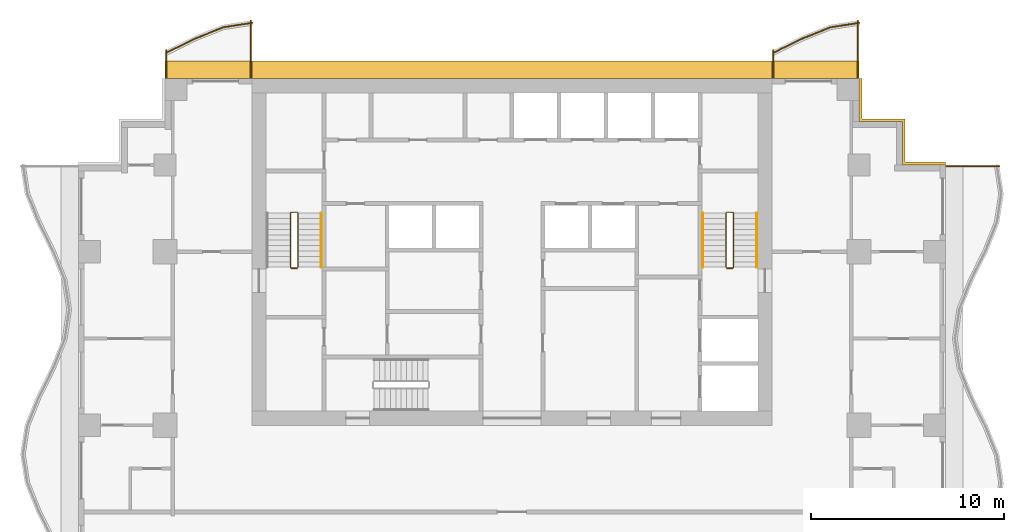
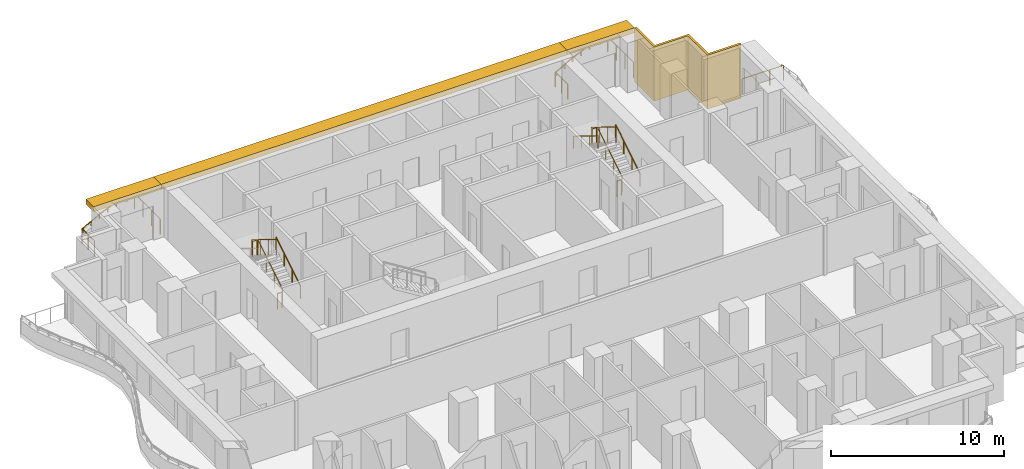
# One storey, part 10 of 10: 14 railings, 4 shading devices.
"""IFC4 building model written with IfcOpenShell, lengths in metres."""

import ifcopenshell
import ifcopenshell.guid

model = None  # the IFC model being written
_history = None  # IfcOwnerHistory: only IFC2X3 demands one
_inside = {}  # id of a spatial element -> (the spatial element, [elements in it])
_under = {}  # id of a project, library or spatial element -> (it, [spatial elements below it])
_declared = {}  # id of a project -> (the project, [libraries it declares])
_typed = {}  # id of a type object -> (the type object, [elements of that type])
_made_of = {}  # id of a material, layer set ... -> (it, [elements and type objects made of it])


def new_model(schema):
    """Start an empty IFC model of exactly this schema.

    Asked for "IFC4X3", IfcOpenShell would pick the latest addendum, in which some entities
    have other attributes; the version numbers below select the first issue.
    IFC2X3 requires an IfcOwnerHistory on every rooted entity: one is made here for all.
    """
    global model, _history
    if schema == "IFC4X3":
        model = ifcopenshell.file(schema_version=(4, 3, 0, 0))
    else:
        model = ifcopenshell.file(schema=schema)
    _inside.clear()
    _under.clear()
    _declared.clear()
    _typed.clear()
    _made_of.clear()
    _history = None
    if model.schema == "IFC2X3":
        org = make("IfcOrganization", Name="unknown")
        user = make(
            "IfcPersonAndOrganization",
            ThePerson=make("IfcPerson", FamilyName="unknown"),
            TheOrganization=org,
        )
        app = make(
            "IfcApplication",
            ApplicationDeveloper=org,
            Version="unknown",
            ApplicationFullName="unknown",
            ApplicationIdentifier="unknown",
        )
        _history = make(
            "IfcOwnerHistory",
            OwningUser=user,
            OwningApplication=app,
            ChangeAction="ADDED",
            CreationDate=0,
        )
    return model


def make(cls, **values):
    """One entity of the class cls with the attributes given. An attribute that is None is left unset."""
    return model.create_entity(
        cls, **{name: value for name, value in values.items() if value is not None}
    )


def rooted(cls, **values):
    """An entity with a GlobalId (a new one), such as an element, a storey or a relation."""
    return make(cls, GlobalId=ifcopenshell.guid.new(), OwnerHistory=_history, **values)


def si_unit(unit_type, name, prefix=None):
    """IfcSIUnit, for example si_unit("LENGTHUNIT", "METRE", prefix="MILLI")."""
    return make("IfcSIUnit", UnitType=unit_type, Prefix=prefix, Name=name)


def assignment(units):
    """IfcUnitAssignment: the units of a project."""
    return None if units is None else make("IfcUnitAssignment", Units=units)


def point(xyz):
    """IfcCartesianPoint."""
    return None if xyz is None else make("IfcCartesianPoint", Coordinates=xyz)


def direction(xyz):
    """IfcDirection."""
    return None if xyz is None else make("IfcDirection", DirectionRatios=xyz)


def frame(location, z_axis=None, x_axis=None):
    """IfcAxis2Placement3D, a coordinate frame: its origin and axes. An axis left out is left unset."""
    return make(
        "IfcAxis2Placement3D",
        Location=point(location),
        Axis=direction(z_axis),
        RefDirection=direction(x_axis),
    )


def frame_2d(location, x_axis=None):
    """IfcAxis2Placement2D, a coordinate frame in the plane: its origin and x axis."""
    return make(
        "IfcAxis2Placement2D", Location=point(location), RefDirection=direction(x_axis)
    )


def origin():
    """The frame at (0, 0, 0) with its axes left unset."""
    return frame((0.0, 0.0, 0.0))


def origin_2d():
    """The frame at (0, 0) in the plane with its x axis left unset."""
    return frame_2d((0.0, 0.0))


def place(relative_to, where):
    """IfcLocalPlacement: puts the frame where relative to a parent placement (None: the world)."""
    return make(
        "IfcLocalPlacement", PlacementRelTo=relative_to, RelativePlacement=where
    )


def context(
    kind, dimensions, precision=None, world=None, true_north=None, identifier=None
):
    """IfcGeometricRepresentationContext, for example the 3D "Model" context."""
    return make(
        "IfcGeometricRepresentationContext",
        ContextIdentifier=identifier,
        ContextType=kind,
        CoordinateSpaceDimension=dimensions,
        Precision=precision,
        WorldCoordinateSystem=world,
        TrueNorth=true_north,
    )


def subcontext(parent, identifier, kind, view, scale=None):
    """IfcGeometricRepresentationSubContext, for example "Body" below "Model"."""
    return make(
        "IfcGeometricRepresentationSubContext",
        ContextIdentifier=identifier,
        ContextType=kind,
        ParentContext=parent,
        TargetScale=scale,
        TargetView=view,
    )


def project(units=None, contexts=None):
    """IfcProject with its units and contexts."""
    return rooted(
        "IfcProject",
        Name="project",
        RepresentationContexts=contexts,
        UnitsInContext=assignment(units),
    )


def spatial(cls, under=None, at=None, **own):
    """A site, building, storey or space (cls), placed at a placement, below another one or the project."""
    s = rooted(cls, ObjectPlacement=at, **own)
    if under is not None:
        _under.setdefault(under.id(), (under, []))[1].append(s)
    return s


def polyline(points):
    """IfcPolyline through the points."""
    return make("IfcPolyline", Points=[point(p) for p in points])


def profile(cls, at=None, kind="AREA", **sizes):
    """A parametric profile (cls). Its sizes go by their IFC names, for example OverallWidth=200.0."""
    return make(cls, ProfileType=kind, Position=at, **sizes)


def rectangle(**sizes):
    """IfcRectangleProfileDef."""
    return profile("IfcRectangleProfileDef", **sizes)


def circle(**sizes):
    """IfcCircleProfileDef."""
    return profile("IfcCircleProfileDef", **sizes)


def outline(outer, holes=None, kind="AREA"):
    """IfcArbitraryClosedProfileDef: a profile drawn as a closed curve; with holes, ...WithVoids."""
    if holes is None:
        return make("IfcArbitraryClosedProfileDef", ProfileType=kind, OuterCurve=outer)
    return make(
        "IfcArbitraryProfileDefWithVoids",
        ProfileType=kind,
        OuterCurve=outer,
        InnerCurves=holes,
    )


def extrude(swept, where, along, depth):
    """IfcExtrudedAreaSolid: the profile swept, set in the frame where, extruded along a direction by depth."""
    return make(
        "IfcExtrudedAreaSolid",
        SweptArea=swept,
        Position=where,
        ExtrudedDirection=direction(along),
        Depth=depth,
    )


def shape(context_of_items, identifier, shape_type, items):
    """IfcShapeRepresentation: the items that make up one representation, for example the "Body"."""
    return make(
        "IfcShapeRepresentation",
        ContextOfItems=context_of_items,
        RepresentationIdentifier=identifier,
        RepresentationType=shape_type,
        Items=items,
    )


def material(Name=None, Category=None):
    """IfcMaterial."""
    return make("IfcMaterial", Name=Name, Category=Category)


def layer(
    of_material, thickness, ventilated=None, Name=None, Category=None, Priority=None
):
    """IfcMaterialLayer: one layer of a wall or slab, of a material (None: an air gap)."""
    return make(
        "IfcMaterialLayer",
        Material=of_material,
        LayerThickness=thickness,
        IsVentilated=ventilated,
        Name=Name,
        Category=Category,
        Priority=Priority,
    )


def layer_set(layers, Name=None):
    """IfcMaterialLayerSet."""
    return make("IfcMaterialLayerSet", MaterialLayers=layers, LayerSetName=Name)


def made_of(thing, what):
    """Note that an element or type object is made of a material, layer set ...; save() writes the relation."""
    if what is not None:
        _made_of.setdefault(what.id(), (what, []))[1].append(thing)
    return thing


def type_object(cls, material=None, **own):
    """A type object (cls), such as IfcWallType, which elements share."""
    return made_of(rooted(cls, **own), material)


def element(
    cls,
    number,
    at=None,
    inside=None,
    cuts=None,
    type_object=None,
    material=None,
    context=None,
    identifier="Body",
    shape_type=None,
    held_by="IfcProductDefinitionShape",
    body=None,
    shapes=None,
    **own,
):
    """One element of the class cls, such as IfcWall. Its Tag is "e" and its number.

    at: its placement. inside: the storey or other place that contains it. cuts: it is an
    opening in that element (IfcRelVoidsElement). A single representation is given by context,
    identifier, shape_type and body (its items); several are given by shapes. held_by: the class
    of the entity that holds the representations. save() writes the other relations.
    """
    e = rooted(cls, Tag="e%d" % number, ObjectPlacement=at, **own)
    if body is not None:
        shapes = [shape(context, identifier, shape_type, body)]
    if shapes is not None:
        e.Representation = make(held_by, Representations=shapes)
    if inside is not None:
        _inside.setdefault(inside.id(), (inside, []))[1].append(e)
    if cuts is not None:
        rooted(
            "IfcRelVoidsElement", RelatingBuildingElement=cuts, RelatedOpeningElement=e
        )
    if type_object is not None:
        _typed.setdefault(type_object.id(), (type_object, []))[1].append(e)
    return made_of(e, material)


def aggregate(whole, parts):
    """IfcRelAggregates: a whole, such as a stair, and the parts it consists of."""
    return rooted("IfcRelAggregates", RelatingObject=whole, RelatedObjects=parts)


def save(model, path):
    """Write the relations noted so far, then the file.

    IfcRelAggregates (storeys below a building ...), IfcRelContainedInSpatialStructure (elements
    in a storey), IfcRelDefinesByType, IfcRelAssociatesMaterial and IfcRelDeclares: one each for
    every whole, place, type object, material and project.
    """
    for whole, parts in _under.values():
        aggregate(whole, parts)
    for where, things in _inside.values():
        rooted(
            "IfcRelContainedInSpatialStructure",
            RelatedElements=things,
            RelatingStructure=where,
        )
    for kind, things in _typed.values():
        rooted("IfcRelDefinesByType", RelatedObjects=things, RelatingType=kind)
    for what, things in _made_of.values():
        rooted("IfcRelAssociatesMaterial", RelatedObjects=things, RelatingMaterial=what)
    for by, libraries in _declared.values():
        rooted("IfcRelDeclares", RelatingContext=by, RelatedDefinitions=libraries)
    model.write(path)


model = new_model("IFC4")

# Units and contexts
model_context = context("Model", 3, precision=1e-05, world=origin(), true_north=direction((0.0, 1.0)))
body_context = subcontext(model_context, "Body", "Model", "MODEL_VIEW")
ifc_project = project(units=[si_unit("LENGTHUNIT", "METRE"), si_unit("AREAUNIT", "SQUARE_METRE"), si_unit("VOLUMEUNIT", "CUBIC_METRE"), si_unit("PLANEANGLEUNIT", "RADIAN"), si_unit("MASSUNIT", "GRAM", prefix="KILO")], contexts=[model_context])

# Site, building, storey
site_placement = place(None, origin())
site = spatial("IfcSite", under=ifc_project, at=site_placement, CompositionType="ELEMENT")
building_placement = place(site_placement, origin())
building = spatial("IfcBuilding", under=site, at=building_placement, Name="Orbiselva Terraces", CompositionType="ELEMENT")
storey_placement = place(building_placement, frame((0.0, 0.0, 151.6)))
storey = spatial("IfcBuildingStorey", under=building, at=storey_placement, Name="L38", CompositionType="ELEMENT", Elevation=151.6)

# Railings
ifc_material_1 = material(Name="Stainless steel", Category="steel")
railing_type_1 = type_object("IfcRailingType", Name="CORE-GUARD-1100", PredefinedType="GUARDRAIL", material=ifc_material_1)
railing_1_placement = place(storey_placement, frame((-11.1, 12.7, 0.172727)))
element("IfcRailing", 1, at=railing_1_placement, inside=storey, type_object=railing_type_1, Name="L38 S1 stair guard 1", PredefinedType="GUARDRAIL", context=body_context, shape_type="SweptSolid", body=[
    extrude(circle(Radius=0.024, at=origin_2d()), frame((0.0, 0.0, 1.081), z_axis=(0.0, 0.851088519012, 0.52502222125), x_axis=(-1.0, 0.0, 0.0)), (0.0, 0.0, 1.0), 3.289905),
    extrude(circle(Radius=0.024, at=origin_2d()), frame((0.0, 2.8, 2.808273), z_axis=(-0.707106781187, 0.707106781187, 0.0), x_axis=(-0.707106781187, -0.707106781187, 0.0)), (0.0, 0.0, 1.0), 0.070711),
    extrude(circle(Radius=0.024, at=origin_2d()), frame((-0.05, 2.85, 2.808273), z_axis=(-1.0, 0.0, 0.0), x_axis=(0.0, -1.0, 0.0)), (0.0, 0.0, 1.0), 0.3),
    extrude(circle(Radius=0.024, at=origin_2d()), frame((-0.35, 2.85, 2.808273), z_axis=(-0.267894925557, -0.267894925557, 0.925453736133), x_axis=(0.707106781187, -0.707106781187, 0.0)), (0.0, 0.0, 1.0), 0.18664),
    extrude(circle(Radius=0.024, at=origin_2d()), frame((-0.4, 2.8, 2.981), z_axis=(0.0, -0.851088519012, 0.52502222125), x_axis=(1.0, 0.0, 0.0)), (0.0, 0.0, 1.0), 3.289905),
    extrude(circle(Radius=0.021, at=origin_2d()), origin(), (0.0, 0.0, 1.0), 1.057),
    extrude(circle(Radius=0.021, at=origin_2d()), frame((0.0, 0.933333, 0.575758)), (0.0, 0.0, 1.0), 1.057),
    extrude(circle(Radius=0.021, at=origin_2d()), frame((0.0, 1.866667, 1.151515)), (0.0, 0.0, 1.0), 1.057),
    extrude(circle(Radius=0.021, at=origin_2d()), frame((0.0, 2.8, 1.727273)), (0.0, 0.0, 1.0), 1.057),
    extrude(circle(Radius=0.021, at=origin_2d()), frame((-0.05, 2.85, 1.727273)), (0.0, 0.0, 1.0), 1.057),
    extrude(circle(Radius=0.021, at=origin_2d()), frame((-0.35, 2.85, 1.727273)), (0.0, 0.0, 1.0), 1.057),
    extrude(circle(Radius=0.021, at=origin_2d()), frame((-0.4, 2.8, 1.9)), (0.0, 0.0, 1.0), 1.057),
    extrude(circle(Radius=0.021, at=origin_2d()), frame((-0.4, 1.866667, 2.475758)), (0.0, 0.0, 1.0), 1.057),
    extrude(circle(Radius=0.021, at=origin_2d()), frame((-0.4, 0.933333, 3.051515)), (0.0, 0.0, 1.0), 1.057),
    extrude(circle(Radius=0.021, at=origin_2d()), frame((-0.4, 0.0, 3.627273)), (0.0, 0.0, 1.0), 1.057),
])
railing_2_placement = place(storey_placement, frame((-11.15, 12.65, 0.0)))
element("IfcRailing", 2, at=railing_2_placement, inside=storey, type_object=railing_type_1, Name="L38 S1 stair guard 2", PredefinedType="GUARDRAIL", context=body_context, shape_type="SweptSolid", body=[
    extrude(circle(Radius=0.024, at=origin_2d()), frame((0.0, 0.0, 1.081), z_axis=(-1.0, 0.0, 0.0), x_axis=(0.0, -1.0, 0.0)), (0.0, 0.0, 1.0), 0.3),
    extrude(circle(Radius=0.021, at=origin_2d()), origin(), (0.0, 0.0, 1.0), 1.057),
    extrude(circle(Radius=0.021, at=origin_2d()), frame((-0.3, 0.0, 0.0)), (0.0, 0.0, 1.0), 1.057),
])
railing_3_placement = place(storey_placement, frame((11.5, 12.7, 0.172727)))
element("IfcRailing", 3, at=railing_3_placement, inside=storey, type_object=railing_type_1, Name="L38 S2 stair guard 1", PredefinedType="GUARDRAIL", context=body_context, shape_type="SweptSolid", body=[
    extrude(circle(Radius=0.024, at=origin_2d()), frame((0.0, 0.0, 1.081), z_axis=(0.0, 0.851088519012, 0.52502222125), x_axis=(-1.0, 0.0, 0.0)), (0.0, 0.0, 1.0), 3.289905),
    extrude(circle(Radius=0.024, at=origin_2d()), frame((0.0, 2.8, 2.808273), z_axis=(-0.707106781187, 0.707106781187, 0.0), x_axis=(-0.707106781187, -0.707106781187, 0.0)), (0.0, 0.0, 1.0), 0.070711),
    extrude(circle(Radius=0.024, at=origin_2d()), frame((-0.05, 2.85, 2.808273), z_axis=(-1.0, 0.0, 0.0), x_axis=(0.0, -1.0, 0.0)), (0.0, 0.0, 1.0), 0.3),
    extrude(circle(Radius=0.024, at=origin_2d()), frame((-0.35, 2.85, 2.808273), z_axis=(-0.267894925557, -0.267894925557, 0.925453736133), x_axis=(0.707106781187, -0.707106781187, 0.0)), (0.0, 0.0, 1.0), 0.18664),
    extrude(circle(Radius=0.024, at=origin_2d()), frame((-0.4, 2.8, 2.981), z_axis=(0.0, -0.851088519012, 0.52502222125), x_axis=(1.0, 0.0, 0.0)), (0.0, 0.0, 1.0), 3.289905),
    extrude(circle(Radius=0.021, at=origin_2d()), origin(), (0.0, 0.0, 1.0), 1.057),
    extrude(circle(Radius=0.021, at=origin_2d()), frame((0.0, 0.933333, 0.575758)), (0.0, 0.0, 1.0), 1.057),
    extrude(circle(Radius=0.021, at=origin_2d()), frame((0.0, 1.866667, 1.151515)), (0.0, 0.0, 1.0), 1.057),
    extrude(circle(Radius=0.021, at=origin_2d()), frame((0.0, 2.8, 1.727273)), (0.0, 0.0, 1.0), 1.057),
    extrude(circle(Radius=0.021, at=origin_2d()), frame((-0.05, 2.85, 1.727273)), (0.0, 0.0, 1.0), 1.057),
    extrude(circle(Radius=0.021, at=origin_2d()), frame((-0.35, 2.85, 1.727273)), (0.0, 0.0, 1.0), 1.057),
    extrude(circle(Radius=0.021, at=origin_2d()), frame((-0.4, 2.8, 1.9)), (0.0, 0.0, 1.0), 1.057),
    extrude(circle(Radius=0.021, at=origin_2d()), frame((-0.4, 1.866667, 2.475758)), (0.0, 0.0, 1.0), 1.057),
    extrude(circle(Radius=0.021, at=origin_2d()), frame((-0.4, 0.933333, 3.051515)), (0.0, 0.0, 1.0), 1.057),
    extrude(circle(Radius=0.021, at=origin_2d()), frame((-0.4, 0.0, 3.627273)), (0.0, 0.0, 1.0), 1.057),
])
railing_4_placement = place(storey_placement, frame((11.45, 12.65, 0.0)))
element("IfcRailing", 4, at=railing_4_placement, inside=storey, type_object=railing_type_1, Name="L38 S2 stair guard 2", PredefinedType="GUARDRAIL", context=body_context, shape_type="SweptSolid", body=[
    extrude(circle(Radius=0.024, at=origin_2d()), frame((0.0, 0.0, 1.081), z_axis=(-1.0, 0.0, 0.0), x_axis=(0.0, -1.0, 0.0)), (0.0, 0.0, 1.0), 0.3),
    extrude(circle(Radius=0.021, at=origin_2d()), origin(), (0.0, 0.0, 1.0), 1.057),
    extrude(circle(Radius=0.021, at=origin_2d()), frame((-0.3, 0.0, 0.0)), (0.0, 0.0, 1.0), 1.057),
])
railing_type_2 = type_object("IfcRailingType", Name="CORE-HANDRAIL-900", PredefinedType="HANDRAIL", material=ifc_material_1)
for number, where, name in (
    (5, (-9.9, 12.7, 0.172727), "L38 S1 stair handrail 1"),
    (6, (12.7, 12.7, 0.172727), "L38 S2 stair handrail 1"),
):
    element("IfcRailing", number, at=place(storey_placement, frame(where)), inside=storey, type_object=railing_type_2, Name=name, PredefinedType="HANDRAIL", context=body_context, shape_type="SweptSolid", body=[
        extrude(circle(Radius=0.024, at=origin_2d()), frame((0.0, 0.0, 0.876), z_axis=(0.0, 0.851088519012, 0.52502222125), x_axis=(-1.0, 0.0, 0.0)), (0.0, 0.0, 1.0), 3.289905),
        extrude(circle(Radius=0.021, at=origin_2d()), origin(), (0.0, 0.0, 1.0), 0.852),
        extrude(circle(Radius=0.021, at=origin_2d()), frame((0.0, 0.933333, 0.575758)), (0.0, 0.0, 1.0), 0.852),
        extrude(circle(Radius=0.021, at=origin_2d()), frame((0.0, 1.866667, 1.151515)), (0.0, 0.0, 1.0), 0.852),
        extrude(circle(Radius=0.021, at=origin_2d()), frame((0.0, 2.8, 1.727273)), (0.0, 0.0, 1.0), 0.852),
    ])
railing_5_placement = place(storey_placement, frame((9.9, 15.5, 2.072727)))
element("IfcRailing", 7, at=railing_5_placement, inside=storey, type_object=railing_type_2, Name="L38 S2 stair handrail 2", PredefinedType="HANDRAIL", context=body_context, shape_type="SweptSolid", body=[
    extrude(circle(Radius=0.024, at=origin_2d()), frame((0.0, 0.0, 0.876), z_axis=(0.0, -0.851088519012, 0.52502222125), x_axis=(1.0, 0.0, 0.0)), (0.0, 0.0, 1.0), 3.289905),
    extrude(circle(Radius=0.021, at=origin_2d()), origin(), (0.0, 0.0, 1.0), 0.852),
    extrude(circle(Radius=0.021, at=origin_2d()), frame((0.0, -0.933333, 0.575758)), (0.0, 0.0, 1.0), 0.852),
    extrude(circle(Radius=0.021, at=origin_2d()), frame((0.0, -1.866667, 1.151515)), (0.0, 0.0, 1.0), 0.852),
    extrude(circle(Radius=0.021, at=origin_2d()), frame((0.0, -2.8, 1.727273)), (0.0, 0.0, 1.0), 0.852),
])
ifc_material_2 = material(Name="Bonded two-ply safety glass balustrade, stainless steel posts", Category="steel")
railing_type_3 = type_object("IfcRailingType", Name="ENV-BALUSTRADE-1200", PredefinedType="BALUSTRADE", material=ifc_material_2)
railing_6_placement = place(storey_placement, frame((18.018879, 25.376434, 0.9)))
element("IfcRailing", 8, at=railing_6_placement, inside=storey, type_object=railing_type_3, Name="Balcony balustrade L38 NE", PredefinedType="BALUSTRADE", context=body_context, shape_type="SweptSolid", body=[
    extrude(outline(polyline([(0.028868, 0.0), (0.014434, 0.025), (-0.014434, 0.025), (-0.028868, 0.0), (-0.014434, -0.025), (0.014434, -0.025), (0.028868, 0.0)])), frame((0.0, 0.0, 0.275), z_axis=(-0.988528552748, -0.151034103443, 0.0), x_axis=(0.151034103443, -0.988528552748, 0.0)), (0.0, 0.0, 1.0), 1.503038),
    extrude(outline(polyline([(0.028868, 0.0), (0.014434, 0.025), (-0.014434, 0.025), (-0.028868, 0.0), (-0.014434, -0.025), (0.014434, -0.025), (0.028868, 0.0)])), frame((-1.485796, -0.22701, 0.275), z_axis=(-0.928476561272, -0.371391000387, 0.0), x_axis=(0.371391000387, -0.928476561272, 0.0)), (0.0, 0.0, 1.0), 1.596261),
    extrude(outline(polyline([(0.028868, 0.0), (0.014434, 0.025), (-0.014434, 0.025), (-0.028868, 0.0), (-0.014434, -0.025), (0.014434, -0.025), (0.028868, 0.0)])), frame((-2.967887, -0.819847, 0.275), z_axis=(-0.89641681019, -0.443212028728, 0.0), x_axis=(0.443212028728, -0.89641681019, 0.0)), (0.0, 0.0, 1.0), 1.668409),
    extrude(rectangle(XDim=0.05, YDim=0.05, at=origin_2d()), origin(), (0.0, 0.0, 1.0), 0.25),
    extrude(rectangle(XDim=0.05, YDim=0.05, at=origin_2d()), frame((-0.742898, -0.113505, 0.0)), (0.0, 0.0, 1.0), 0.25),
    extrude(rectangle(XDim=0.05, YDim=0.05, at=origin_2d()), frame((-1.485796, -0.22701, 0.0)), (0.0, 0.0, 1.0), 0.25),
    extrude(rectangle(XDim=0.05, YDim=0.05, at=origin_2d()), frame((-2.226841, -0.523428, 0.0)), (0.0, 0.0, 1.0), 0.25),
    extrude(rectangle(XDim=0.05, YDim=0.05, at=origin_2d()), frame((-2.967887, -0.819847, 0.0)), (0.0, 0.0, 1.0), 0.25),
    extrude(rectangle(XDim=0.05, YDim=0.05, at=origin_2d()), frame((-3.715682, -1.189576, 0.0)), (0.0, 0.0, 1.0), 0.25),
    extrude(rectangle(XDim=0.05, YDim=0.05, at=origin_2d()), frame((-4.463477, -1.559306, 0.0)), (0.0, 0.0, 1.0), 0.25),
])
railing_7_placement = place(storey_placement, frame((-13.481121, 25.376434, 0.9)))
element("IfcRailing", 9, at=railing_7_placement, inside=storey, type_object=railing_type_3, Name="Balcony balustrade L38 NW", PredefinedType="BALUSTRADE", context=body_context, shape_type="SweptSolid", body=[
    extrude(outline(polyline([(0.028868, 0.0), (0.014434, 0.025), (-0.014434, 0.025), (-0.028868, 0.0), (-0.014434, -0.025), (0.014434, -0.025), (0.028868, 0.0)])), frame((0.0, 0.0, 0.275), z_axis=(-0.988528552748, -0.151034103443, 0.0), x_axis=(0.151034103443, -0.988528552748, 0.0)), (0.0, 0.0, 1.0), 1.503038),
    extrude(outline(polyline([(0.028868, 0.0), (0.014434, 0.025), (-0.014434, 0.025), (-0.028868, 0.0), (-0.014434, -0.025), (0.014434, -0.025), (0.028868, 0.0)])), frame((-1.485796, -0.22701, 0.275), z_axis=(-0.928476561272, -0.371391000387, 0.0), x_axis=(0.371391000387, -0.928476561272, 0.0)), (0.0, 0.0, 1.0), 1.596261),
    extrude(outline(polyline([(0.028868, 0.0), (0.014434, 0.025), (-0.014434, 0.025), (-0.028868, 0.0), (-0.014434, -0.025), (0.014434, -0.025), (0.028868, 0.0)])), frame((-2.967887, -0.819847, 0.275), z_axis=(-0.89641681019, -0.443212028728, 0.0), x_axis=(0.443212028728, -0.89641681019, 0.0)), (0.0, 0.0, 1.0), 1.668409),
    extrude(rectangle(XDim=0.05, YDim=0.05, at=origin_2d()), origin(), (0.0, 0.0, 1.0), 0.25),
    extrude(rectangle(XDim=0.05, YDim=0.05, at=origin_2d()), frame((-0.742898, -0.113505, 0.0)), (0.0, 0.0, 1.0), 0.25),
    extrude(rectangle(XDim=0.05, YDim=0.05, at=origin_2d()), frame((-1.485796, -0.22701, 0.0)), (0.0, 0.0, 1.0), 0.25),
    extrude(rectangle(XDim=0.05, YDim=0.05, at=origin_2d()), frame((-2.226842, -0.523428, 0.0)), (0.0, 0.0, 1.0), 0.25),
    extrude(rectangle(XDim=0.05, YDim=0.05, at=origin_2d()), frame((-2.967887, -0.819847, 0.0)), (0.0, 0.0, 1.0), 0.25),
    extrude(rectangle(XDim=0.05, YDim=0.05, at=origin_2d()), frame((-3.715682, -1.189576, 0.0)), (0.0, 0.0, 1.0), 0.25),
    extrude(rectangle(XDim=0.05, YDim=0.05, at=origin_2d()), frame((-4.463477, -1.559306, 0.0)), (0.0, 0.0, 1.0), 0.25),
])
ifc_material_3 = material(Name="Stainless steel rail and posts", Category="steel")
railing_type_4 = type_object("IfcRailingType", Name="ENV-GUARD-1105", PredefinedType="BALUSTRADE", material=ifc_material_3)
railing_8_placement = place(storey_placement, frame((25.288239, 17.94, 0.0)))
element("IfcRailing", 10, at=railing_8_placement, inside=storey, type_object=railing_type_4, Name="Balcony end guard L38 E", PredefinedType="BALUSTRADE", context=body_context, shape_type="SweptSolid", body=[
    extrude(outline(polyline([(0.028868, 0.0), (0.014434, 0.025), (-0.014434, 0.025), (-0.028868, 0.0), (-0.014434, -0.025), (0.014434, -0.025), (0.028868, 0.0)])), frame((0.0, 0.0, 1.08), z_axis=(-1.0, 0.0, 0.0), x_axis=(0.0, -1.0, 0.0)), (0.0, 0.0, 1.0), 2.763239),
    extrude(rectangle(XDim=0.05, YDim=0.05, at=origin_2d()), origin(), (0.0, 0.0, 1.0), 1.055),
    extrude(rectangle(XDim=0.05, YDim=0.05, at=origin_2d()), frame((-0.92108, 0.0, 0.0)), (0.0, 0.0, 1.0), 1.055),
    extrude(rectangle(XDim=0.05, YDim=0.05, at=origin_2d()), frame((-1.842159, 0.0, 0.0)), (0.0, 0.0, 1.0), 1.055),
    extrude(rectangle(XDim=0.05, YDim=0.05, at=origin_2d()), frame((-2.763239, 0.0, 0.0)), (0.0, 0.0, 1.0), 1.055),
])
railing_9_placement = place(storey_placement, frame((17.94, 25.499621, 0.0)))
element("IfcRailing", 11, at=railing_9_placement, inside=storey, type_object=railing_type_4, Name="Balcony end guard L38 NE", PredefinedType="BALUSTRADE", context=body_context, shape_type="SweptSolid", body=[
    extrude(outline(polyline([(0.028868, 0.0), (0.014434, 0.025), (-0.014434, 0.025), (-0.028868, 0.0), (-0.014434, -0.025), (0.014434, -0.025), (0.028868, 0.0)])), frame((0.0, 0.0, 1.08), z_axis=(0.0, -1.0, 0.0), x_axis=(1.0, 0.0, 0.0)), (0.0, 0.0, 1.0), 2.974621),
    extrude(rectangle(XDim=0.05, YDim=0.05, at=origin_2d()), origin(), (0.0, 0.0, 1.0), 1.055),
    extrude(rectangle(XDim=0.05, YDim=0.05, at=origin_2d()), frame((0.0, -0.99154, 0.0)), (0.0, 0.0, 1.0), 1.055),
    extrude(rectangle(XDim=0.05, YDim=0.05, at=origin_2d()), frame((0.0, -1.983081, 0.0)), (0.0, 0.0, 1.0), 1.055),
    extrude(rectangle(XDim=0.05, YDim=0.05, at=origin_2d()), frame((0.0, -2.974621, 0.0)), (0.0, 0.0, 1.0), 1.055),
])
railing_10_placement = place(storey_placement, frame((13.56, 23.957977, 0.0)))
element("IfcRailing", 12, at=railing_10_placement, inside=storey, type_object=railing_type_4, Name="Balcony end guard L38 NE", PredefinedType="BALUSTRADE", context=body_context, shape_type="SweptSolid", body=[
    extrude(outline(polyline([(0.028868, 0.0), (0.014434, 0.025), (-0.014434, 0.025), (-0.028868, 0.0), (-0.014434, -0.025), (0.014434, -0.025), (0.028868, 0.0)])), frame((0.0, 0.0, 1.08), z_axis=(0.0, -1.0, 0.0), x_axis=(1.0, 0.0, 0.0)), (0.0, 0.0, 1.0), 1.432977),
    extrude(rectangle(XDim=0.05, YDim=0.05, at=origin_2d()), origin(), (0.0, 0.0, 1.0), 1.055),
    extrude(rectangle(XDim=0.05, YDim=0.05, at=origin_2d()), frame((0.0, -0.716489, 0.0)), (0.0, 0.0, 1.0), 1.055),
    extrude(rectangle(XDim=0.05, YDim=0.05, at=origin_2d()), frame((0.0, -1.432977, 0.0)), (0.0, 0.0, 1.0), 1.055),
])
railing_11_placement = place(storey_placement, frame((-13.56, 25.499621, 0.0)))
element("IfcRailing", 13, at=railing_11_placement, inside=storey, type_object=railing_type_4, Name="Balcony end guard L38 NW", PredefinedType="BALUSTRADE", context=body_context, shape_type="SweptSolid", body=[
    extrude(outline(polyline([(0.028868, 0.0), (0.014434, 0.025), (-0.014434, 0.025), (-0.028868, 0.0), (-0.014434, -0.025), (0.014434, -0.025), (0.028868, 0.0)])), frame((0.0, 0.0, 1.08), z_axis=(0.0, -1.0, 0.0), x_axis=(1.0, 0.0, 0.0)), (0.0, 0.0, 1.0), 2.974621),
    extrude(rectangle(XDim=0.05, YDim=0.05, at=origin_2d()), origin(), (0.0, 0.0, 1.0), 1.055),
    extrude(rectangle(XDim=0.05, YDim=0.05, at=origin_2d()), frame((0.0, -0.99154, 0.0)), (0.0, 0.0, 1.0), 1.055),
    extrude(rectangle(XDim=0.05, YDim=0.05, at=origin_2d()), frame((0.0, -1.983081, 0.0)), (0.0, 0.0, 1.0), 1.055),
    extrude(rectangle(XDim=0.05, YDim=0.05, at=origin_2d()), frame((0.0, -2.974621, 0.0)), (0.0, 0.0, 1.0), 1.055),
])
railing_12_placement = place(storey_placement, frame((-17.94, 23.957977, 0.0)))
element("IfcRailing", 14, at=railing_12_placement, inside=storey, type_object=railing_type_4, Name="Balcony end guard L38 NW", PredefinedType="BALUSTRADE", context=body_context, shape_type="SweptSolid", body=[
    extrude(outline(polyline([(0.028868, 0.0), (0.014434, 0.025), (-0.014434, 0.025), (-0.028868, 0.0), (-0.014434, -0.025), (0.014434, -0.025), (0.028868, 0.0)])), frame((0.0, 0.0, 1.08), z_axis=(0.0, -1.0, 0.0), x_axis=(1.0, 0.0, 0.0)), (0.0, 0.0, 1.0), 1.432977),
    extrude(rectangle(XDim=0.05, YDim=0.05, at=origin_2d()), origin(), (0.0, 0.0, 1.0), 1.055),
    extrude(rectangle(XDim=0.05, YDim=0.05, at=origin_2d()), frame((0.0, -0.716489, 0.0)), (0.0, 0.0, 1.0), 1.055),
    extrude(rectangle(XDim=0.05, YDim=0.05, at=origin_2d()), frame((0.0, -1.432977, 0.0)), (0.0, 0.0, 1.0), 1.055),
])

# Shading devices
ifc_material_4 = material(Name="Terracotta louvre screen", Category="masonry")
ifc_layer_1 = layer(ifc_material_4, 0.15)
ifc_layer_set_1 = layer_set([ifc_layer_1], Name="Terracotta louvre screen")
shading_device_type_1 = type_object("IfcShadingDeviceType", Name="ENV-SCREEN-150", PredefinedType="USERDEFINED", material=ifc_layer_set_1)
shading_device_1_placement = place(storey_placement, frame((0.0, 0.0, -0.3)))
element("IfcShadingDevice", 15, at=shading_device_1_placement, inside=storey, type_object=shading_device_type_1, Name="Louvre screen L38 NE", ObjectType="SCREEN", PredefinedType="USERDEFINED", context=body_context, shape_type="SweptSolid", body=[
    extrude(outline(polyline([(22.5, 18.15), (20.4, 18.15), (20.4, 20.4), (18.15, 20.4), (18.15, 22.5), (18.0, 22.5), (18.0, 20.25), (20.25, 20.25), (20.25, 18.0), (22.5, 18.0), (22.5, 18.15)])), origin(), (0.0, 0.0, 1.0), 3.8),
])
ifc_material_5 = material(Name="Terracotta baguette sunshade", Category="masonry")
ifc_layer_2 = layer(ifc_material_5, 0.35)
ifc_layer_set_2 = layer_set([ifc_layer_2], Name="Terracotta baguette sunshade")
shading_device_type_2 = type_object("IfcShadingDeviceType", Name="ENV-SUNSHADE-900x350", PredefinedType="USERDEFINED", material=ifc_layer_set_2)
shading_device_2_placement = place(storey_placement, frame((0.0, 0.0, 3.15)))
element("IfcShadingDevice", 16, at=shading_device_2_placement, inside=storey, type_object=shading_device_type_2, Name="Sunshade band L38 NE", ObjectType="SUNSHADE", PredefinedType="USERDEFINED", context=body_context, shape_type="SweptSolid", body=[
    extrude(outline(polyline([(18.0, 23.4), (13.5, 23.4), (13.5, 22.5), (18.0, 22.5), (18.0, 23.4)])), origin(), (0.0, 0.0, 1.0), 0.35),
])
shading_device_3_placement = place(storey_placement, frame((0.0, 0.0, 3.15)))
element("IfcShadingDevice", 17, at=shading_device_3_placement, inside=storey, type_object=shading_device_type_2, Name="Sunshade band L38 CORE NORTH", ObjectType="SUNSHADE", PredefinedType="USERDEFINED", context=body_context, shape_type="SweptSolid", body=[
    extrude(outline(polyline([(13.5, 23.4), (-13.5, 23.4), (-13.5, 22.5), (13.5, 22.5), (13.5, 23.4)])), origin(), (0.0, 0.0, 1.0), 0.35),
])
shading_device_4_placement = place(storey_placement, frame((0.0, 0.0, 3.15)))
element("IfcShadingDevice", 18, at=shading_device_4_placement, inside=storey, type_object=shading_device_type_2, Name="Sunshade band L38 NW", ObjectType="SUNSHADE", PredefinedType="USERDEFINED", context=body_context, shape_type="SweptSolid", body=[
    extrude(outline(polyline([(-13.5, 23.4), (-18.0, 23.4), (-18.0, 22.5), (-13.5, 22.5), (-13.5, 23.4)])), origin(), (0.0, 0.0, 1.0), 0.35),
])

save(model, "model.ifc")
